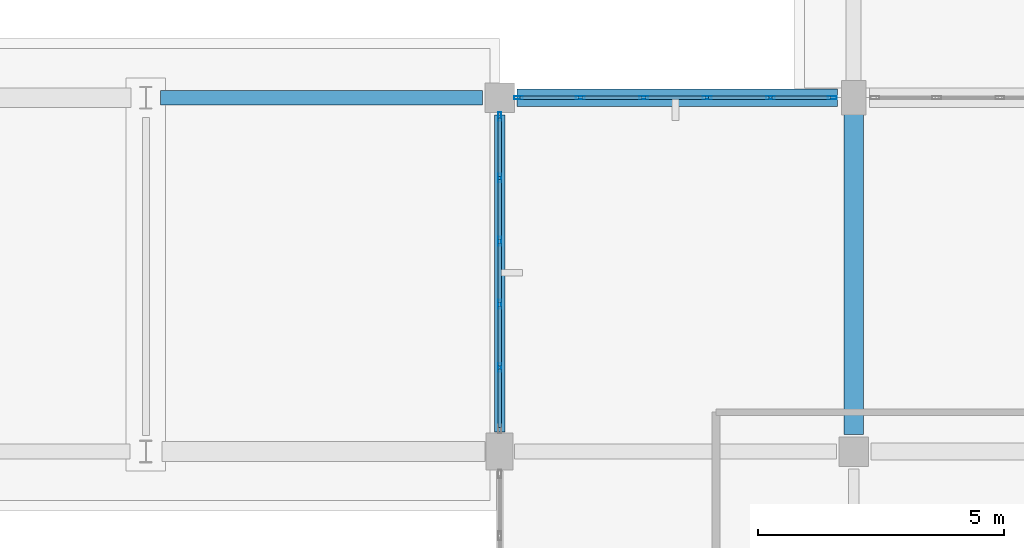
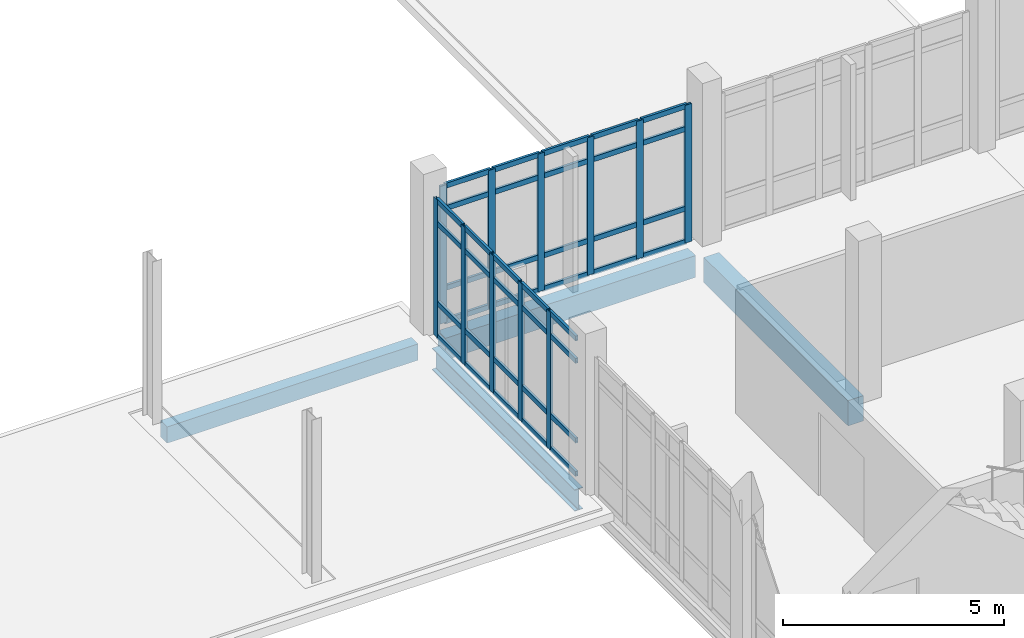
# One storey, part 38 of 134: 51 members, 4 beams, 2 elements without a shape of their own.
"""IFC4 building model written with IfcOpenShell, lengths in metres."""

from ifc_helpers import new_model, si_unit, direction, frame, origin, origin_2d, place, context, subcontext, project, spatial, rectangle, hollow_rectangle, i_section, extrude, material, material_profile, profile_set, type_object, element, aggregate, save


model = new_model("IFC4")

# Units and contexts
model_context = context("Model", 3, precision=1e-05, world=origin(), true_north=direction((0.0, 1.0)))
body_context = subcontext(model_context, "Body", "Model", "MODEL_VIEW")
ifc_project = project(units=[si_unit("LENGTHUNIT", "METRE"), si_unit("AREAUNIT", "SQUARE_METRE"), si_unit("VOLUMEUNIT", "CUBIC_METRE"), si_unit("PLANEANGLEUNIT", "RADIAN"), si_unit("MASSUNIT", "GRAM", prefix="KILO")], contexts=[model_context])

# Site, building, storey
site_placement = place(None, origin())
site = spatial("IfcSite", under=ifc_project, at=site_placement, CompositionType="ELEMENT")
building_placement = place(site_placement, origin())
building = spatial("IfcBuilding", under=site, at=building_placement, Name="Kalluvel Institute of Natural Sciences", CompositionType="ELEMENT")
storey_placement = place(building_placement, frame((0.0, 0.0, 5.39990234375)))
storey = spatial("IfcBuildingStorey", under=building, at=storey_placement, Name="L01", CompositionType="ELEMENT", Elevation=5.39990234375)

# Beams
ifc_material_1 = material(Name="Steel E350 Grade 350", Category="steel")
ifc_material_profile_1 = material_profile(ifc_material_1, i_section(OverallWidth=0.2099609375, OverallDepth=0.60009765625, WebThickness=0.011962890625, FlangeThickness=0.020751953125, FilletRadius=0.02001953125, at=origin_2d()), Name="ISMB 600")
ifc_profile_set_1 = profile_set([ifc_material_profile_1], Name="Steel E350 Grade 350")
beam_type_1 = type_object("IfcBeamType", Name="BM-ISMB600", PredefinedType="BEAM", material=ifc_profile_set_1)
beam_1_placement = place(storey_placement, frame((100.39990234375, 28.800048828125, -0.619873046875), z_axis=(0.0, 1.0, 0.0), x_axis=(-1.0, 0.0, 0.0)))
element("IfcBeam", 1, at=beam_1_placement, inside=storey, type_object=beam_type_1, Name="L01 girder GIR-L01-NS-X1004-Y284", PredefinedType="BEAM", context=body_context, shape_type="SweptSolid", body=[
    extrude(i_section(OverallWidth=0.2099609375, OverallDepth=0.60009765625, WebThickness=0.011962890625, FlangeThickness=0.020751953125, FilletRadius=0.02001953125, at=origin_2d()), origin(), (0.0, 0.0, 1.0), 6.449951171875),
])
ifc_material_2 = material(Name="Concrete M40", Category="concrete")
ifc_material_profile_2 = material_profile(ifc_material_2, rectangle(XDim=0.39990234375, YDim=0.699951171875, at=origin_2d()), Name="RCB 400x700")
ifc_profile_set_2 = profile_set([ifc_material_profile_2], Name="Concrete M40")
beam_type_2 = type_object("IfcBeamType", Name="BM-RC400x700", PredefinedType="BEAM", material=ifc_profile_set_2)
beam_2_placement = place(storey_placement, frame((107.60009765625, 28.75, -0.669921875), z_axis=(0.0, 1.0, 0.0), x_axis=(-1.0, 0.0, 0.0)))
element("IfcBeam", 2, at=beam_2_placement, inside=storey, type_object=beam_type_2, Name="L01 girder GIR-L01-NS-X1076-Y284", PredefinedType="BEAM", context=body_context, shape_type="SweptSolid", body=[
    extrude(rectangle(XDim=0.39990234375, YDim=0.699951171875, at=origin_2d()), origin(), (0.0, 0.0, 1.0), 6.52490234375),
])

# Curtain wall, members
ifc_material_3 = material(Name="Aluminium AW-6063 T6", Category="aluminium")
curtain_wall_type = type_object("IfcCurtainWallType", Name="CW-SPAV-45", PredefinedType="USERDEFINED", material=ifc_material_3)
curtain_wall_1_placement = place(storey_placement, origin())
curtain_wall_1 = element("IfcCurtainWall", 3, at=curtain_wall_1_placement, inside=storey, type_object=curtain_wall_type, Name="L01 Gothic lancet curtain wall CWA-L01-X1008-Y356", ObjectType="UNITISED LANCET FACADE", PredefinedType="USERDEFINED")
ifc_material_profile_3 = material_profile(ifc_material_3, hollow_rectangle(XDim=0.06494140625, YDim=0.179931640625, WallThickness=0.00439453125, at=origin_2d()), Name="CWM 65x180")
ifc_profile_set_3 = profile_set([ifc_material_profile_3], Name="Aluminium AW-6063 T6")
member_type_1 = type_object("IfcMemberType", Name="CWM-65x180", PredefinedType="MULLION", material=ifc_profile_set_3)
member_1_placement = place(storey_placement, frame((100.782470703125, 35.60009765625, 0.0), z_axis=(0.0, 0.0, 1.0), x_axis=(0.0, 1.0, 0.0)))
member_1 = element("IfcMember", 4, at=member_1_placement, type_object=member_type_1, Name="CW-10 mullion 1", PredefinedType="MULLION", context=body_context, shape_type="SweptSolid", body=[
    extrude(hollow_rectangle(XDim=0.06494140625, YDim=0.179931640625, WallThickness=0.00439453125, at=origin_2d()), origin(), (0.0, 0.0, 1.0), 3.800048828125),
])
member_2_placement = place(storey_placement, frame((102.0400390625, 35.60009765625, 0.0), z_axis=(0.0, 0.0, 1.0), x_axis=(0.0, 1.0, 0.0)))
member_2 = element("IfcMember", 5, at=member_2_placement, type_object=member_type_1, Name="CW-10 mullion 2", PredefinedType="MULLION", context=body_context, shape_type="SweptSolid", body=[
    extrude(hollow_rectangle(XDim=0.06494140625, YDim=0.179931640625, WallThickness=0.00439453125, at=origin_2d()), origin(), (0.0, 0.0, 1.0), 3.800048828125),
])
member_3_placement = place(storey_placement, frame((103.330078125, 35.60009765625, 0.0), z_axis=(0.0, 0.0, 1.0), x_axis=(0.0, 1.0, 0.0)))
member_3 = element("IfcMember", 6, at=member_3_placement, type_object=member_type_1, Name="CW-10 mullion 3", PredefinedType="MULLION", context=body_context, shape_type="SweptSolid", body=[
    extrude(hollow_rectangle(XDim=0.06494140625, YDim=0.179931640625, WallThickness=0.00439453125, at=origin_2d()), origin(), (0.0, 0.0, 1.0), 3.800048828125),
])
member_4_placement = place(storey_placement, frame((104.6201171875, 35.60009765625, 0.0), z_axis=(0.0, 0.0, 1.0), x_axis=(0.0, 1.0, 0.0)))
member_4 = element("IfcMember", 7, at=member_4_placement, type_object=member_type_1, Name="CW-10 mullion 4", PredefinedType="MULLION", context=body_context, shape_type="SweptSolid", body=[
    extrude(hollow_rectangle(XDim=0.06494140625, YDim=0.179931640625, WallThickness=0.00439453125, at=origin_2d()), origin(), (0.0, 0.0, 1.0), 3.800048828125),
])
member_5_placement = place(storey_placement, frame((105.909912109375, 35.60009765625, 0.0), z_axis=(0.0, 0.0, 1.0), x_axis=(0.0, 1.0, 0.0)))
member_5 = element("IfcMember", 8, at=member_5_placement, type_object=member_type_1, Name="CW-10 mullion 5", PredefinedType="MULLION", context=body_context, shape_type="SweptSolid", body=[
    extrude(hollow_rectangle(XDim=0.06494140625, YDim=0.179931640625, WallThickness=0.00439453125, at=origin_2d()), origin(), (0.0, 0.0, 1.0), 3.800048828125),
])
member_6_placement = place(storey_placement, frame((107.16748046875, 35.60009765625, 0.0), z_axis=(0.0, 0.0, 1.0), x_axis=(0.0, 1.0, 0.0)))
member_6 = element("IfcMember", 9, at=member_6_placement, type_object=member_type_1, Name="CW-10 mullion 6", PredefinedType="MULLION", context=body_context, shape_type="SweptSolid", body=[
    extrude(hollow_rectangle(XDim=0.06494140625, YDim=0.179931640625, WallThickness=0.00439453125, at=origin_2d()), origin(), (0.0, 0.0, 1.0), 3.800048828125),
])

curtain_wall_2_placement = place(storey_placement, origin())
curtain_wall_2 = element("IfcCurtainWall", 10, at=curtain_wall_2_placement, inside=storey, type_object=curtain_wall_type, Name="L01 Gothic lancet curtain wall CWA-L01-X1004-Y288", ObjectType="UNITISED LANCET FACADE", PredefinedType="USERDEFINED")
member_7_placement = place(storey_placement, frame((100.39990234375, 30.110107421875, 0.0), z_axis=(0.0, 0.0, 1.0), x_axis=(-1.0, 0.0, 0.0)))
member_7 = element("IfcMember", 11, at=member_7_placement, type_object=member_type_1, Name="CW-10 mullion 2", PredefinedType="MULLION", context=body_context, shape_type="SweptSolid", body=[
    extrude(hollow_rectangle(XDim=0.06494140625, YDim=0.179931640625, WallThickness=0.00439453125, at=origin_2d()), origin(), (0.0, 0.0, 1.0), 3.800048828125),
])
member_8_placement = place(storey_placement, frame((100.39990234375, 31.39501953125, 0.0), z_axis=(0.0, 0.0, 1.0), x_axis=(-1.0, 0.0, 0.0)))
member_8 = element("IfcMember", 12, at=member_8_placement, type_object=member_type_1, Name="CW-10 mullion 3", PredefinedType="MULLION", context=body_context, shape_type="SweptSolid", body=[
    extrude(hollow_rectangle(XDim=0.06494140625, YDim=0.179931640625, WallThickness=0.00439453125, at=origin_2d()), origin(), (0.0, 0.0, 1.0), 3.800048828125),
])
member_9_placement = place(storey_placement, frame((100.39990234375, 32.679931640625, 0.0), z_axis=(0.0, 0.0, 1.0), x_axis=(-1.0, 0.0, 0.0)))
member_9 = element("IfcMember", 13, at=member_9_placement, type_object=member_type_1, Name="CW-10 mullion 4", PredefinedType="MULLION", context=body_context, shape_type="SweptSolid", body=[
    extrude(hollow_rectangle(XDim=0.06494140625, YDim=0.179931640625, WallThickness=0.00439453125, at=origin_2d()), origin(), (0.0, 0.0, 1.0), 3.800048828125),
])
member_10_placement = place(storey_placement, frame((100.39990234375, 33.965087890625, 0.0), z_axis=(0.0, 0.0, 1.0), x_axis=(-1.0, 0.0, 0.0)))
member_10 = element("IfcMember", 14, at=member_10_placement, type_object=member_type_1, Name="CW-10 mullion 5", PredefinedType="MULLION", context=body_context, shape_type="SweptSolid", body=[
    extrude(hollow_rectangle(XDim=0.06494140625, YDim=0.179931640625, WallThickness=0.00439453125, at=origin_2d()), origin(), (0.0, 0.0, 1.0), 3.800048828125),
])
member_11_placement = place(storey_placement, frame((100.39990234375, 35.217529296875, 0.0), z_axis=(0.0, 0.0, 1.0), x_axis=(-1.0, 0.0, 0.0)))
member_11 = element("IfcMember", 15, at=member_11_placement, type_object=member_type_1, Name="CW-10 mullion 6", PredefinedType="MULLION", context=body_context, shape_type="SweptSolid", body=[
    extrude(hollow_rectangle(XDim=0.06494140625, YDim=0.179931640625, WallThickness=0.00439453125, at=origin_2d()), origin(), (0.0, 0.0, 1.0), 3.800048828125),
])

# Member
ifc_material_profile_4 = material_profile(ifc_material_3, hollow_rectangle(XDim=0.06494140625, YDim=0.139892578125, WallThickness=0.00439453125, at=origin_2d()), Name="CWT 65x140")
ifc_profile_set_4 = profile_set([ifc_material_profile_4], Name="Aluminium AW-6063 T6")
member_type_2 = type_object("IfcMemberType", Name="CWT-65x140", PredefinedType="USERDEFINED", material=ifc_profile_set_4)
member_12_placement = place(storey_placement, frame((100.81494140625, 35.60009765625, 0.03271484375), z_axis=(1.0, 0.0, 0.0), x_axis=(0.0, 1.0, 0.0)))
member_12 = element("IfcMember", 16, at=member_12_placement, type_object=member_type_2, Name="CW-10 transom 1.1", ObjectType="TRANSOM", PredefinedType="USERDEFINED", context=body_context, shape_type="SweptSolid", body=[
    extrude(hollow_rectangle(XDim=0.06494140625, YDim=0.139892578125, WallThickness=0.00439453125, at=origin_2d()), origin(), (0.0, 0.0, 1.0), 1.192626953125),
])

member_13_placement = place(storey_placement, frame((100.81494140625, 35.60009765625, 0.9501953125), z_axis=(1.0, 0.0, 0.0), x_axis=(0.0, 1.0, 0.0)))
member_13 = element("IfcMember", 17, at=member_13_placement, type_object=member_type_2, Name="CW-10 transom 1.2", ObjectType="TRANSOM", PredefinedType="USERDEFINED", context=body_context, shape_type="SweptSolid", body=[
    extrude(hollow_rectangle(XDim=0.06494140625, YDim=0.139892578125, WallThickness=0.00439453125, at=origin_2d()), origin(), (0.0, 0.0, 1.0), 1.192626953125),
])

member_14_placement = place(storey_placement, frame((100.81494140625, 35.60009765625, 3.150146484375), z_axis=(1.0, 0.0, 0.0), x_axis=(0.0, 1.0, 0.0)))
member_14 = element("IfcMember", 18, at=member_14_placement, type_object=member_type_2, Name="CW-10 transom 1.3", ObjectType="TRANSOM", PredefinedType="USERDEFINED", context=body_context, shape_type="SweptSolid", body=[
    extrude(hollow_rectangle(XDim=0.06494140625, YDim=0.139892578125, WallThickness=0.00439453125, at=origin_2d()), origin(), (0.0, 0.0, 1.0), 1.192626953125),
])

member_15_placement = place(storey_placement, frame((100.81494140625, 35.60009765625, 3.767578125), z_axis=(1.0, 0.0, 0.0), x_axis=(0.0, 1.0, 0.0)))
member_15 = element("IfcMember", 19, at=member_15_placement, type_object=member_type_2, Name="CW-10 transom 1.4", ObjectType="TRANSOM", PredefinedType="USERDEFINED", context=body_context, shape_type="SweptSolid", body=[
    extrude(hollow_rectangle(XDim=0.06494140625, YDim=0.139892578125, WallThickness=0.00439453125, at=origin_2d()), origin(), (0.0, 0.0, 1.0), 1.192626953125),
])

member_16_placement = place(storey_placement, frame((102.072509765625, 35.60009765625, 0.03271484375), z_axis=(1.0, 0.0, 0.0), x_axis=(0.0, 1.0, 0.0)))
member_16 = element("IfcMember", 20, at=member_16_placement, type_object=member_type_2, Name="CW-10 transom 2.1", ObjectType="TRANSOM", PredefinedType="USERDEFINED", context=body_context, shape_type="SweptSolid", body=[
    extrude(hollow_rectangle(XDim=0.06494140625, YDim=0.139892578125, WallThickness=0.00439453125, at=origin_2d()), origin(), (0.0, 0.0, 1.0), 1.22509765625),
])

member_17_placement = place(storey_placement, frame((102.072509765625, 35.60009765625, 0.9501953125), z_axis=(1.0, 0.0, 0.0), x_axis=(0.0, 1.0, 0.0)))
member_17 = element("IfcMember", 21, at=member_17_placement, type_object=member_type_2, Name="CW-10 transom 2.2", ObjectType="TRANSOM", PredefinedType="USERDEFINED", context=body_context, shape_type="SweptSolid", body=[
    extrude(hollow_rectangle(XDim=0.06494140625, YDim=0.139892578125, WallThickness=0.00439453125, at=origin_2d()), origin(), (0.0, 0.0, 1.0), 1.22509765625),
])

member_18_placement = place(storey_placement, frame((102.072509765625, 35.60009765625, 3.150146484375), z_axis=(1.0, 0.0, 0.0), x_axis=(0.0, 1.0, 0.0)))
member_18 = element("IfcMember", 22, at=member_18_placement, type_object=member_type_2, Name="CW-10 transom 2.3", ObjectType="TRANSOM", PredefinedType="USERDEFINED", context=body_context, shape_type="SweptSolid", body=[
    extrude(hollow_rectangle(XDim=0.06494140625, YDim=0.139892578125, WallThickness=0.00439453125, at=origin_2d()), origin(), (0.0, 0.0, 1.0), 1.22509765625),
])

member_19_placement = place(storey_placement, frame((102.072509765625, 35.60009765625, 3.767578125), z_axis=(1.0, 0.0, 0.0), x_axis=(0.0, 1.0, 0.0)))
member_19 = element("IfcMember", 23, at=member_19_placement, type_object=member_type_2, Name="CW-10 transom 2.4", ObjectType="TRANSOM", PredefinedType="USERDEFINED", context=body_context, shape_type="SweptSolid", body=[
    extrude(hollow_rectangle(XDim=0.06494140625, YDim=0.139892578125, WallThickness=0.00439453125, at=origin_2d()), origin(), (0.0, 0.0, 1.0), 1.22509765625),
])

member_20_placement = place(storey_placement, frame((103.362548828125, 35.60009765625, 0.03271484375), z_axis=(1.0, 0.0, 0.0), x_axis=(0.0, 1.0, 0.0)))
member_20 = element("IfcMember", 24, at=member_20_placement, type_object=member_type_2, Name="CW-10 transom 3.1", ObjectType="TRANSOM", PredefinedType="USERDEFINED", context=body_context, shape_type="SweptSolid", body=[
    extrude(hollow_rectangle(XDim=0.06494140625, YDim=0.139892578125, WallThickness=0.00439453125, at=origin_2d()), origin(), (0.0, 0.0, 1.0), 1.224853515625),
])

member_21_placement = place(storey_placement, frame((103.362548828125, 35.60009765625, 0.9501953125), z_axis=(1.0, 0.0, 0.0), x_axis=(0.0, 1.0, 0.0)))
member_21 = element("IfcMember", 25, at=member_21_placement, type_object=member_type_2, Name="CW-10 transom 3.2", ObjectType="TRANSOM", PredefinedType="USERDEFINED", context=body_context, shape_type="SweptSolid", body=[
    extrude(hollow_rectangle(XDim=0.06494140625, YDim=0.139892578125, WallThickness=0.00439453125, at=origin_2d()), origin(), (0.0, 0.0, 1.0), 1.224853515625),
])

member_22_placement = place(storey_placement, frame((103.362548828125, 35.60009765625, 3.150146484375), z_axis=(1.0, 0.0, 0.0), x_axis=(0.0, 1.0, 0.0)))
member_22 = element("IfcMember", 26, at=member_22_placement, type_object=member_type_2, Name="CW-10 transom 3.3", ObjectType="TRANSOM", PredefinedType="USERDEFINED", context=body_context, shape_type="SweptSolid", body=[
    extrude(hollow_rectangle(XDim=0.06494140625, YDim=0.139892578125, WallThickness=0.00439453125, at=origin_2d()), origin(), (0.0, 0.0, 1.0), 1.224853515625),
])

member_23_placement = place(storey_placement, frame((103.362548828125, 35.60009765625, 3.767578125), z_axis=(1.0, 0.0, 0.0), x_axis=(0.0, 1.0, 0.0)))
member_23 = element("IfcMember", 27, at=member_23_placement, type_object=member_type_2, Name="CW-10 transom 3.4", ObjectType="TRANSOM", PredefinedType="USERDEFINED", context=body_context, shape_type="SweptSolid", body=[
    extrude(hollow_rectangle(XDim=0.06494140625, YDim=0.139892578125, WallThickness=0.00439453125, at=origin_2d()), origin(), (0.0, 0.0, 1.0), 1.224853515625),
])

member_24_placement = place(storey_placement, frame((104.652587890625, 35.60009765625, 0.03271484375), z_axis=(1.0, 0.0, 0.0), x_axis=(0.0, 1.0, 0.0)))
member_24 = element("IfcMember", 28, at=member_24_placement, type_object=member_type_2, Name="CW-10 transom 4.1", ObjectType="TRANSOM", PredefinedType="USERDEFINED", context=body_context, shape_type="SweptSolid", body=[
    extrude(hollow_rectangle(XDim=0.06494140625, YDim=0.139892578125, WallThickness=0.00439453125, at=origin_2d()), origin(), (0.0, 0.0, 1.0), 1.224853515625),
])

member_25_placement = place(storey_placement, frame((104.652587890625, 35.60009765625, 0.9501953125), z_axis=(1.0, 0.0, 0.0), x_axis=(0.0, 1.0, 0.0)))
member_25 = element("IfcMember", 29, at=member_25_placement, type_object=member_type_2, Name="CW-10 transom 4.2", ObjectType="TRANSOM", PredefinedType="USERDEFINED", context=body_context, shape_type="SweptSolid", body=[
    extrude(hollow_rectangle(XDim=0.06494140625, YDim=0.139892578125, WallThickness=0.00439453125, at=origin_2d()), origin(), (0.0, 0.0, 1.0), 1.224853515625),
])

member_26_placement = place(storey_placement, frame((104.652587890625, 35.60009765625, 3.150146484375), z_axis=(1.0, 0.0, 0.0), x_axis=(0.0, 1.0, 0.0)))
member_26 = element("IfcMember", 30, at=member_26_placement, type_object=member_type_2, Name="CW-10 transom 4.3", ObjectType="TRANSOM", PredefinedType="USERDEFINED", context=body_context, shape_type="SweptSolid", body=[
    extrude(hollow_rectangle(XDim=0.06494140625, YDim=0.139892578125, WallThickness=0.00439453125, at=origin_2d()), origin(), (0.0, 0.0, 1.0), 1.224853515625),
])

member_27_placement = place(storey_placement, frame((104.652587890625, 35.60009765625, 3.767578125), z_axis=(1.0, 0.0, 0.0), x_axis=(0.0, 1.0, 0.0)))
member_27 = element("IfcMember", 31, at=member_27_placement, type_object=member_type_2, Name="CW-10 transom 4.4", ObjectType="TRANSOM", PredefinedType="USERDEFINED", context=body_context, shape_type="SweptSolid", body=[
    extrude(hollow_rectangle(XDim=0.06494140625, YDim=0.139892578125, WallThickness=0.00439453125, at=origin_2d()), origin(), (0.0, 0.0, 1.0), 1.224853515625),
])

member_28_placement = place(storey_placement, frame((105.9423828125, 35.60009765625, 0.03271484375), z_axis=(1.0, 0.0, 0.0), x_axis=(0.0, 1.0, 0.0)))
member_28 = element("IfcMember", 32, at=member_28_placement, type_object=member_type_2, Name="CW-10 transom 5.1", ObjectType="TRANSOM", PredefinedType="USERDEFINED", context=body_context, shape_type="SweptSolid", body=[
    extrude(hollow_rectangle(XDim=0.06494140625, YDim=0.139892578125, WallThickness=0.00439453125, at=origin_2d()), origin(), (0.0, 0.0, 1.0), 1.192626953125),
])

member_29_placement = place(storey_placement, frame((105.9423828125, 35.60009765625, 0.9501953125), z_axis=(1.0, 0.0, 0.0), x_axis=(0.0, 1.0, 0.0)))
member_29 = element("IfcMember", 33, at=member_29_placement, type_object=member_type_2, Name="CW-10 transom 5.2", ObjectType="TRANSOM", PredefinedType="USERDEFINED", context=body_context, shape_type="SweptSolid", body=[
    extrude(hollow_rectangle(XDim=0.06494140625, YDim=0.139892578125, WallThickness=0.00439453125, at=origin_2d()), origin(), (0.0, 0.0, 1.0), 1.192626953125),
])

member_30_placement = place(storey_placement, frame((105.9423828125, 35.60009765625, 3.150146484375), z_axis=(1.0, 0.0, 0.0), x_axis=(0.0, 1.0, 0.0)))
member_30 = element("IfcMember", 34, at=member_30_placement, type_object=member_type_2, Name="CW-10 transom 5.3", ObjectType="TRANSOM", PredefinedType="USERDEFINED", context=body_context, shape_type="SweptSolid", body=[
    extrude(hollow_rectangle(XDim=0.06494140625, YDim=0.139892578125, WallThickness=0.00439453125, at=origin_2d()), origin(), (0.0, 0.0, 1.0), 1.192626953125),
])

member_31_placement = place(storey_placement, frame((105.9423828125, 35.60009765625, 3.767578125), z_axis=(1.0, 0.0, 0.0), x_axis=(0.0, 1.0, 0.0)))
member_31 = element("IfcMember", 35, at=member_31_placement, type_object=member_type_2, Name="CW-10 transom 5.4", ObjectType="TRANSOM", PredefinedType="USERDEFINED", context=body_context, shape_type="SweptSolid", body=[
    extrude(hollow_rectangle(XDim=0.06494140625, YDim=0.139892578125, WallThickness=0.00439453125, at=origin_2d()), origin(), (0.0, 0.0, 1.0), 1.192626953125),
])

aggregate(curtain_wall_1, [member_1, member_2, member_3, member_4, member_5, member_6, member_12, member_13, member_14, member_15, member_16, member_17, member_18, member_19, member_20, member_21, member_22, member_23, member_24, member_25, member_26, member_27, member_28, member_29, member_30, member_31])

member_32_placement = place(storey_placement, frame((100.39990234375, 28.889892578125, 0.03271484375), z_axis=(0.0, 1.0, 0.0), x_axis=(-1.0, 0.0, 0.0)))
member_32 = element("IfcMember", 36, at=member_32_placement, type_object=member_type_2, Name="CW-10 transom 1.1", ObjectType="TRANSOM", PredefinedType="USERDEFINED", context=body_context, shape_type="SweptSolid", body=[
    extrude(hollow_rectangle(XDim=0.06494140625, YDim=0.139892578125, WallThickness=0.00439453125, at=origin_2d()), origin(), (0.0, 0.0, 1.0), 1.1875),
])

member_33_placement = place(storey_placement, frame((100.39990234375, 28.889892578125, 0.9501953125), z_axis=(0.0, 1.0, 0.0), x_axis=(-1.0, 0.0, 0.0)))
member_33 = element("IfcMember", 37, at=member_33_placement, type_object=member_type_2, Name="CW-10 transom 1.2", ObjectType="TRANSOM", PredefinedType="USERDEFINED", context=body_context, shape_type="SweptSolid", body=[
    extrude(hollow_rectangle(XDim=0.06494140625, YDim=0.139892578125, WallThickness=0.00439453125, at=origin_2d()), origin(), (0.0, 0.0, 1.0), 1.1875),
])

member_34_placement = place(storey_placement, frame((100.39990234375, 28.889892578125, 3.150146484375), z_axis=(0.0, 1.0, 0.0), x_axis=(-1.0, 0.0, 0.0)))
member_34 = element("IfcMember", 38, at=member_34_placement, type_object=member_type_2, Name="CW-10 transom 1.3", ObjectType="TRANSOM", PredefinedType="USERDEFINED", context=body_context, shape_type="SweptSolid", body=[
    extrude(hollow_rectangle(XDim=0.06494140625, YDim=0.139892578125, WallThickness=0.00439453125, at=origin_2d()), origin(), (0.0, 0.0, 1.0), 1.1875),
])

member_35_placement = place(storey_placement, frame((100.39990234375, 28.889892578125, 3.767578125), z_axis=(0.0, 1.0, 0.0), x_axis=(-1.0, 0.0, 0.0)))
member_35 = element("IfcMember", 39, at=member_35_placement, type_object=member_type_2, Name="CW-10 transom 1.4", ObjectType="TRANSOM", PredefinedType="USERDEFINED", context=body_context, shape_type="SweptSolid", body=[
    extrude(hollow_rectangle(XDim=0.06494140625, YDim=0.139892578125, WallThickness=0.00439453125, at=origin_2d()), origin(), (0.0, 0.0, 1.0), 1.1875),
])

member_36_placement = place(storey_placement, frame((100.39990234375, 30.142578125, 0.03271484375), z_axis=(0.0, 1.0, 0.0), x_axis=(-1.0, 0.0, 0.0)))
member_36 = element("IfcMember", 40, at=member_36_placement, type_object=member_type_2, Name="CW-10 transom 2.1", ObjectType="TRANSOM", PredefinedType="USERDEFINED", context=body_context, shape_type="SweptSolid", body=[
    extrude(hollow_rectangle(XDim=0.06494140625, YDim=0.139892578125, WallThickness=0.00439453125, at=origin_2d()), origin(), (0.0, 0.0, 1.0), 1.219970703125),
])

member_37_placement = place(storey_placement, frame((100.39990234375, 30.142578125, 0.9501953125), z_axis=(0.0, 1.0, 0.0), x_axis=(-1.0, 0.0, 0.0)))
member_37 = element("IfcMember", 41, at=member_37_placement, type_object=member_type_2, Name="CW-10 transom 2.2", ObjectType="TRANSOM", PredefinedType="USERDEFINED", context=body_context, shape_type="SweptSolid", body=[
    extrude(hollow_rectangle(XDim=0.06494140625, YDim=0.139892578125, WallThickness=0.00439453125, at=origin_2d()), origin(), (0.0, 0.0, 1.0), 1.219970703125),
])

member_38_placement = place(storey_placement, frame((100.39990234375, 30.142578125, 3.150146484375), z_axis=(0.0, 1.0, 0.0), x_axis=(-1.0, 0.0, 0.0)))
member_38 = element("IfcMember", 42, at=member_38_placement, type_object=member_type_2, Name="CW-10 transom 2.3", ObjectType="TRANSOM", PredefinedType="USERDEFINED", context=body_context, shape_type="SweptSolid", body=[
    extrude(hollow_rectangle(XDim=0.06494140625, YDim=0.139892578125, WallThickness=0.00439453125, at=origin_2d()), origin(), (0.0, 0.0, 1.0), 1.219970703125),
])

member_39_placement = place(storey_placement, frame((100.39990234375, 30.142578125, 3.767578125), z_axis=(0.0, 1.0, 0.0), x_axis=(-1.0, 0.0, 0.0)))
member_39 = element("IfcMember", 43, at=member_39_placement, type_object=member_type_2, Name="CW-10 transom 2.4", ObjectType="TRANSOM", PredefinedType="USERDEFINED", context=body_context, shape_type="SweptSolid", body=[
    extrude(hollow_rectangle(XDim=0.06494140625, YDim=0.139892578125, WallThickness=0.00439453125, at=origin_2d()), origin(), (0.0, 0.0, 1.0), 1.219970703125),
])

member_40_placement = place(storey_placement, frame((100.39990234375, 31.427490234375, 0.03271484375), z_axis=(0.0, 1.0, 0.0), x_axis=(-1.0, 0.0, 0.0)))
member_40 = element("IfcMember", 44, at=member_40_placement, type_object=member_type_2, Name="CW-10 transom 3.1", ObjectType="TRANSOM", PredefinedType="USERDEFINED", context=body_context, shape_type="SweptSolid", body=[
    extrude(hollow_rectangle(XDim=0.06494140625, YDim=0.139892578125, WallThickness=0.00439453125, at=origin_2d()), origin(), (0.0, 0.0, 1.0), 1.219970703125),
])

member_41_placement = place(storey_placement, frame((100.39990234375, 31.427490234375, 0.9501953125), z_axis=(0.0, 1.0, 0.0), x_axis=(-1.0, 0.0, 0.0)))
member_41 = element("IfcMember", 45, at=member_41_placement, type_object=member_type_2, Name="CW-10 transom 3.2", ObjectType="TRANSOM", PredefinedType="USERDEFINED", context=body_context, shape_type="SweptSolid", body=[
    extrude(hollow_rectangle(XDim=0.06494140625, YDim=0.139892578125, WallThickness=0.00439453125, at=origin_2d()), origin(), (0.0, 0.0, 1.0), 1.219970703125),
])

member_42_placement = place(storey_placement, frame((100.39990234375, 31.427490234375, 3.150146484375), z_axis=(0.0, 1.0, 0.0), x_axis=(-1.0, 0.0, 0.0)))
member_42 = element("IfcMember", 46, at=member_42_placement, type_object=member_type_2, Name="CW-10 transom 3.3", ObjectType="TRANSOM", PredefinedType="USERDEFINED", context=body_context, shape_type="SweptSolid", body=[
    extrude(hollow_rectangle(XDim=0.06494140625, YDim=0.139892578125, WallThickness=0.00439453125, at=origin_2d()), origin(), (0.0, 0.0, 1.0), 1.219970703125),
])

member_43_placement = place(storey_placement, frame((100.39990234375, 31.427490234375, 3.767578125), z_axis=(0.0, 1.0, 0.0), x_axis=(-1.0, 0.0, 0.0)))
member_43 = element("IfcMember", 47, at=member_43_placement, type_object=member_type_2, Name="CW-10 transom 3.4", ObjectType="TRANSOM", PredefinedType="USERDEFINED", context=body_context, shape_type="SweptSolid", body=[
    extrude(hollow_rectangle(XDim=0.06494140625, YDim=0.139892578125, WallThickness=0.00439453125, at=origin_2d()), origin(), (0.0, 0.0, 1.0), 1.219970703125),
])

member_44_placement = place(storey_placement, frame((100.39990234375, 32.71240234375, 0.03271484375), z_axis=(0.0, 1.0, 0.0), x_axis=(-1.0, 0.0, 0.0)))
member_44 = element("IfcMember", 48, at=member_44_placement, type_object=member_type_2, Name="CW-10 transom 4.1", ObjectType="TRANSOM", PredefinedType="USERDEFINED", context=body_context, shape_type="SweptSolid", body=[
    extrude(hollow_rectangle(XDim=0.06494140625, YDim=0.139892578125, WallThickness=0.00439453125, at=origin_2d()), origin(), (0.0, 0.0, 1.0), 1.22021484375),
])

member_45_placement = place(storey_placement, frame((100.39990234375, 32.71240234375, 0.9501953125), z_axis=(0.0, 1.0, 0.0), x_axis=(-1.0, 0.0, 0.0)))
member_45 = element("IfcMember", 49, at=member_45_placement, type_object=member_type_2, Name="CW-10 transom 4.2", ObjectType="TRANSOM", PredefinedType="USERDEFINED", context=body_context, shape_type="SweptSolid", body=[
    extrude(hollow_rectangle(XDim=0.06494140625, YDim=0.139892578125, WallThickness=0.00439453125, at=origin_2d()), origin(), (0.0, 0.0, 1.0), 1.22021484375),
])

member_46_placement = place(storey_placement, frame((100.39990234375, 32.71240234375, 3.150146484375), z_axis=(0.0, 1.0, 0.0), x_axis=(-1.0, 0.0, 0.0)))
member_46 = element("IfcMember", 50, at=member_46_placement, type_object=member_type_2, Name="CW-10 transom 4.3", ObjectType="TRANSOM", PredefinedType="USERDEFINED", context=body_context, shape_type="SweptSolid", body=[
    extrude(hollow_rectangle(XDim=0.06494140625, YDim=0.139892578125, WallThickness=0.00439453125, at=origin_2d()), origin(), (0.0, 0.0, 1.0), 1.22021484375),
])

member_47_placement = place(storey_placement, frame((100.39990234375, 32.71240234375, 3.767578125), z_axis=(0.0, 1.0, 0.0), x_axis=(-1.0, 0.0, 0.0)))
member_47 = element("IfcMember", 51, at=member_47_placement, type_object=member_type_2, Name="CW-10 transom 4.4", ObjectType="TRANSOM", PredefinedType="USERDEFINED", context=body_context, shape_type="SweptSolid", body=[
    extrude(hollow_rectangle(XDim=0.06494140625, YDim=0.139892578125, WallThickness=0.00439453125, at=origin_2d()), origin(), (0.0, 0.0, 1.0), 1.22021484375),
])

member_48_placement = place(storey_placement, frame((100.39990234375, 33.99755859375, 0.03271484375), z_axis=(0.0, 1.0, 0.0), x_axis=(-1.0, 0.0, 0.0)))
member_48 = element("IfcMember", 52, at=member_48_placement, type_object=member_type_2, Name="CW-10 transom 5.1", ObjectType="TRANSOM", PredefinedType="USERDEFINED", context=body_context, shape_type="SweptSolid", body=[
    extrude(hollow_rectangle(XDim=0.06494140625, YDim=0.139892578125, WallThickness=0.00439453125, at=origin_2d()), origin(), (0.0, 0.0, 1.0), 1.1875),
])

member_49_placement = place(storey_placement, frame((100.39990234375, 33.99755859375, 0.9501953125), z_axis=(0.0, 1.0, 0.0), x_axis=(-1.0, 0.0, 0.0)))
member_49 = element("IfcMember", 53, at=member_49_placement, type_object=member_type_2, Name="CW-10 transom 5.2", ObjectType="TRANSOM", PredefinedType="USERDEFINED", context=body_context, shape_type="SweptSolid", body=[
    extrude(hollow_rectangle(XDim=0.06494140625, YDim=0.139892578125, WallThickness=0.00439453125, at=origin_2d()), origin(), (0.0, 0.0, 1.0), 1.1875),
])

member_50_placement = place(storey_placement, frame((100.39990234375, 33.99755859375, 3.150146484375), z_axis=(0.0, 1.0, 0.0), x_axis=(-1.0, 0.0, 0.0)))
member_50 = element("IfcMember", 54, at=member_50_placement, type_object=member_type_2, Name="CW-10 transom 5.3", ObjectType="TRANSOM", PredefinedType="USERDEFINED", context=body_context, shape_type="SweptSolid", body=[
    extrude(hollow_rectangle(XDim=0.06494140625, YDim=0.139892578125, WallThickness=0.00439453125, at=origin_2d()), origin(), (0.0, 0.0, 1.0), 1.1875),
])

member_51_placement = place(storey_placement, frame((100.39990234375, 33.99755859375, 3.767578125), z_axis=(0.0, 1.0, 0.0), x_axis=(-1.0, 0.0, 0.0)))
member_51 = element("IfcMember", 55, at=member_51_placement, type_object=member_type_2, Name="CW-10 transom 5.4", ObjectType="TRANSOM", PredefinedType="USERDEFINED", context=body_context, shape_type="SweptSolid", body=[
    extrude(hollow_rectangle(XDim=0.06494140625, YDim=0.139892578125, WallThickness=0.00439453125, at=origin_2d()), origin(), (0.0, 0.0, 1.0), 1.1875),
])

aggregate(curtain_wall_2, [member_7, member_8, member_9, member_10, member_11, member_32, member_33, member_34, member_35, member_36, member_37, member_38, member_39, member_40, member_41, member_42, member_43, member_44, member_45, member_46, member_47, member_48, member_49, member_50, member_51])

# Beams
ifc_material_profile_5 = material_profile(ifc_material_2, rectangle(XDim=0.300048828125, YDim=0.449951171875, at=origin_2d()), Name="RCB 300x450")
ifc_profile_set_5 = profile_set([ifc_material_profile_5], Name="Concrete M40")
beam_type_3 = type_object("IfcBeamType", Name="SP-RC300x450", PredefinedType="SPANDREL", material=ifc_profile_set_5)
beam_3_placement = place(storey_placement, frame((93.5, 35.60009765625, -0.46484375), z_axis=(1.0, 0.0, 0.0), x_axis=(0.0, 1.0, 0.0)))
element("IfcBeam", 56, at=beam_3_placement, inside=storey, type_object=beam_type_3, Name="L01 girder GIR-L01-EW-X932-Y356", PredefinedType="SPANDREL", context=body_context, shape_type="SweptSolid", body=[
    extrude(rectangle(XDim=0.300048828125, YDim=0.449951171875, at=origin_2d()), origin(), (0.0, 0.0, 1.0), 6.550048828125),
])
ifc_material_profile_6 = material_profile(ifc_material_2, rectangle(XDim=0.35009765625, YDim=0.60009765625, at=origin_2d()), Name="RCB 350x600")
ifc_profile_set_6 = profile_set([ifc_material_profile_6], Name="Concrete M40")
beam_type_4 = type_object("IfcBeamType", Name="SP-RC350x600", PredefinedType="SPANDREL", material=ifc_profile_set_6)
beam_4_placement = place(storey_placement, frame((100.75, 35.60009765625, -0.619873046875), z_axis=(1.0, 0.0, 0.0), x_axis=(0.0, 1.0, 0.0)))
element("IfcBeam", 57, at=beam_4_placement, inside=storey, type_object=beam_type_4, Name="L01 girder GIR-L01-EW-X1004-Y356", PredefinedType="SPANDREL", context=body_context, shape_type="SweptSolid", body=[
    extrude(rectangle(XDim=0.35009765625, YDim=0.60009765625, at=origin_2d()), origin(), (0.0, 0.0, 1.0), 6.52490234375),
])

save(model, "model.ifc")
